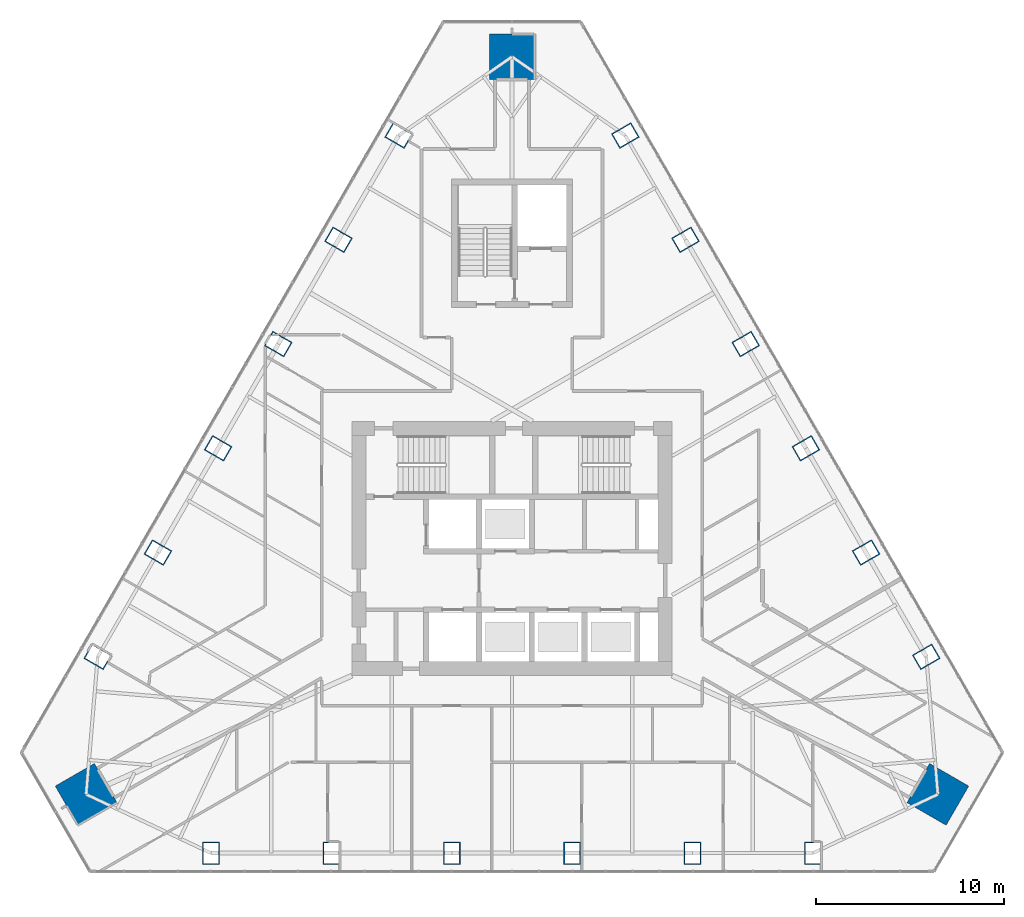
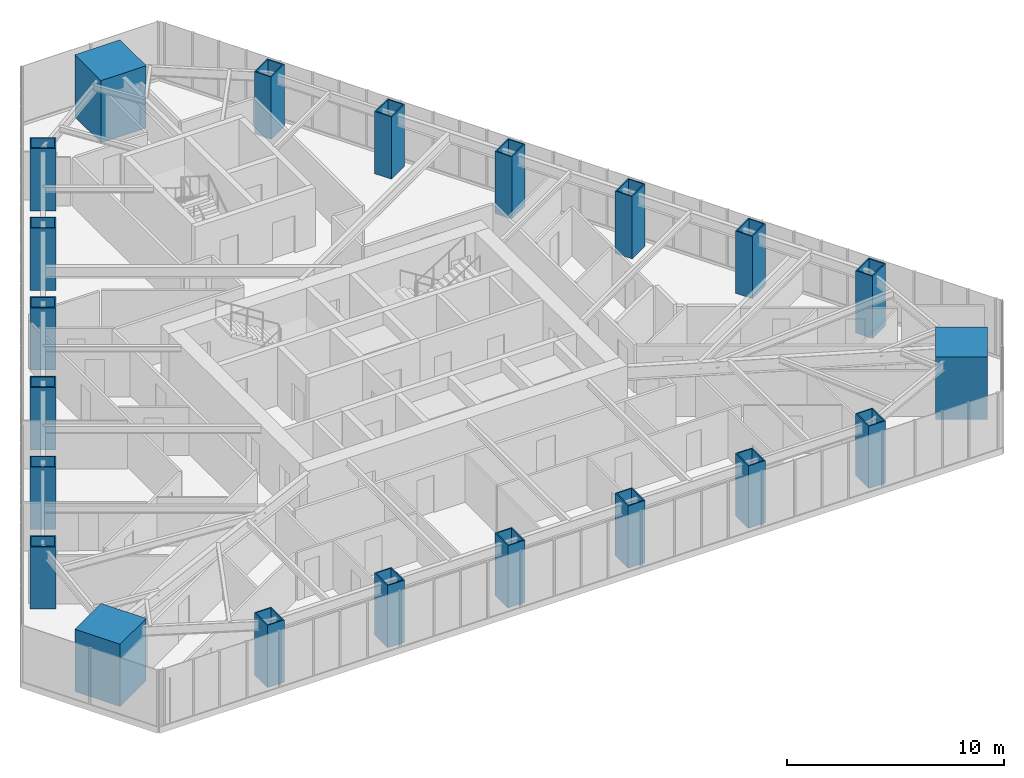
# One storey, part 1 of 21: 21 columns.
"""IFC4 building model written with IfcOpenShell, lengths in metres."""

from ifc_helpers import new_model, si_unit, direction, frame, origin, origin_2d, place, context, subcontext, project, spatial, rectangle, hollow_rectangle, extrude, material, material_profile, profile_set, type_object, element, save


model = new_model("IFC4")

# Units and contexts
model_context = context("Model", 3, precision=1e-05, world=origin(), true_north=direction((0.0, 1.0)))
body_context = subcontext(model_context, "Body", "Model", "MODEL_VIEW")
ifc_project = project(units=[si_unit("LENGTHUNIT", "METRE"), si_unit("AREAUNIT", "SQUARE_METRE"), si_unit("VOLUMEUNIT", "CUBIC_METRE"), si_unit("PLANEANGLEUNIT", "RADIAN"), si_unit("MASSUNIT", "GRAM", prefix="KILO")], contexts=[model_context])

# Site, building, storey
site_placement = place(None, origin())
site = spatial("IfcSite", under=ifc_project, at=site_placement, CompositionType="ELEMENT")
building_placement = place(site_placement, origin())
building = spatial("IfcBuilding", under=site, at=building_placement, Name="Firuza Gate Tower and Library", CompositionType="ELEMENT")
storey_placement = place(building_placement, frame((0.0, 0.0, 284.60009765625)))
storey = spatial("IfcBuildingStorey", under=building, at=storey_placement, Name="L68", CompositionType="ELEMENT", Elevation=284.60009765625)

# Columns
ifc_material_1 = material(Name="Steel S355", Category="steel")
ifc_material_profile_1 = material_profile(ifc_material_1, hollow_rectangle(XDim=0.89990234375, YDim=1.199951171875, WallThickness=0.06005859375, at=origin_2d()))
ifc_profile_set_1 = profile_set([ifc_material_profile_1], Name="Steel S355")
column_type_1 = type_object("IfcColumnType", Name="BU1200x900x60 Composite box column", PredefinedType="COLUMN", material=ifc_profile_set_1)
for number, where, z_axis, x_axis, name in (
    (1, (59.026611328125, 58.83203125, -0.00048828125), (0.0, 0.0, 1.0), (1.0, 0.0, 0.0), "Column S1 L68"),
    (2, (65.416015625, 58.83203125, -0.00048828125), (0.0, 0.0, 1.0), (1.0, 0.0, 0.0), "Column S2 L68"),
    (3, (71.805419921875, 58.83203125, -0.00048828125), (0.0, 0.0, 1.0), (1.0, 0.0, 0.0), "Column S3 L68"),
    (4, (78.194580078125, 58.83203125, -0.00048828125), (0.0, 0.0, 1.0), (1.0, 0.0, 0.0), "Column S4 L68"),
    (5, (84.583984375, 58.83203125, -0.00048828125), (0.0, 0.0, 1.0), (1.0, 0.0, 0.0), "Column S5 L68"),
    (6, (90.973388671875, 58.83203125, -0.00048828125), (0.0, 0.0, 1.0), (1.0, 0.0, 0.0), "Column S6 L68"),
    (7, (96.988525390625, 69.250732421875, -0.00048828125), (0.0, 0.0, 1.0), (-0.5, 0.866025403784, 0.0), "Column E1 L68"),
    (8, (93.7939453125, 74.783935546875, -0.00048828125), (0.0, 0.0, 1.0), (-0.5, 0.866025403784, 0.0), "Column E2 L68"),
    (9, (90.599365234375, 80.3173828125, -0.00048828125), (0.0, 0.0, 1.0), (-0.5, 0.866025403784, 0.0), "Column E3 L68"),
    (10, (87.404541015625, 85.8505859375, -0.00048828125), (0.0, 0.0, 1.0), (-0.5, 0.866025403784, 0.0), "Column E4 L68"),
    (11, (84.2099609375, 91.384033203125, -0.00048828125), (0.0, 0.0, 1.0), (-0.5, 0.866025403784, 0.0), "Column E5 L68"),
    (12, (81.01513671875, 96.917236328125, -0.00048828125), (0.0, 0.0, 1.0), (-0.5, 0.866025403784, 0.0), "Column E6 L68"),
    (13, (68.98486328125, 96.917236328125, -0.00048828125), (0.0, 0.0, 1.0), (-0.5, -0.866025403784, 0.0), "Column W1 L68"),
    (14, (65.7900390625, 91.384033203125, -0.00048828125), (0.0, 0.0, 1.0), (-0.5, -0.866025403784, 0.0), "Column W2 L68"),
    (15, (62.595458984375, 85.8505859375, -0.00048828125), (0.0, 0.0, 1.0), (-0.5, -0.866025403784, 0.0), "Column W3 L68"),
    (16, (59.400634765625, 80.3173828125, -0.00048828125), (0.0, 0.0, 1.0), (-0.5, -0.866025403784, 0.0), "Column W4 L68"),
    (17, (56.2060546875, 74.783935546875, -0.00048828125), (0.0, 0.0, 1.0), (-0.5, -0.866025403784, 0.0), "Column W5 L68"),
    (18, (53.011474609375, 69.250732421875, -0.00048828125), (0.0, 0.0, 1.0), (-0.5, -0.866025403784, 0.0), "Column W6 L68"),
):
    element("IfcColumn", number, at=place(storey_placement, frame(where, z_axis=z_axis, x_axis=x_axis)), inside=storey, type_object=column_type_1, Name=name, PredefinedType="COLUMN", context=body_context, shape_type="SweptSolid", body=[
        extrude(hollow_rectangle(XDim=0.89990234375, YDim=1.199951171875, WallThickness=0.06005859375, at=origin_2d()), origin(), (0.0, 0.0, 1.0), 3.50048828125),
    ])
ifc_material_2 = material(Name="Concrete C80/95", Category="concrete")
ifc_material_profile_2 = material_profile(ifc_material_2, rectangle(XDim=2.39990234375, YDim=2.39990234375, at=origin_2d()))
ifc_profile_set_2 = profile_set([ifc_material_profile_2], Name="Concrete C80/95")
column_type_2 = type_object("IfcColumnType", Name="Mega column 2400x2400 C80/95", PredefinedType="COLUMN", material=ifc_profile_set_2)
for number, where, z_axis, x_axis, name in (
    (19, (97.603759765625, 61.94970703125, 0.0), (0.0, 0.0, 1.0), (0.5, 0.866025403784, 0.0), "Mega column SE L68"),
    (20, (75.0, 101.1005859375, 0.0), (0.0, 0.0, 1.0), (-1.0, 0.0, 0.0), "Mega column N L68"),
    (21, (52.396240234375, 61.94970703125, 0.0), (0.0, 0.0, 1.0), (0.5, -0.866025403784, 0.0), "Mega column SW L68"),
):
    element("IfcColumn", number, at=place(storey_placement, frame(where, z_axis=z_axis, x_axis=x_axis)), inside=storey, type_object=column_type_2, Name=name, PredefinedType="COLUMN", context=body_context, shape_type="SweptSolid", body=[
        extrude(rectangle(XDim=2.39990234375, YDim=2.39990234375, at=origin_2d()), origin(), (0.0, 0.0, 1.0), 3.5),
    ])

save(model, "model.ifc")
